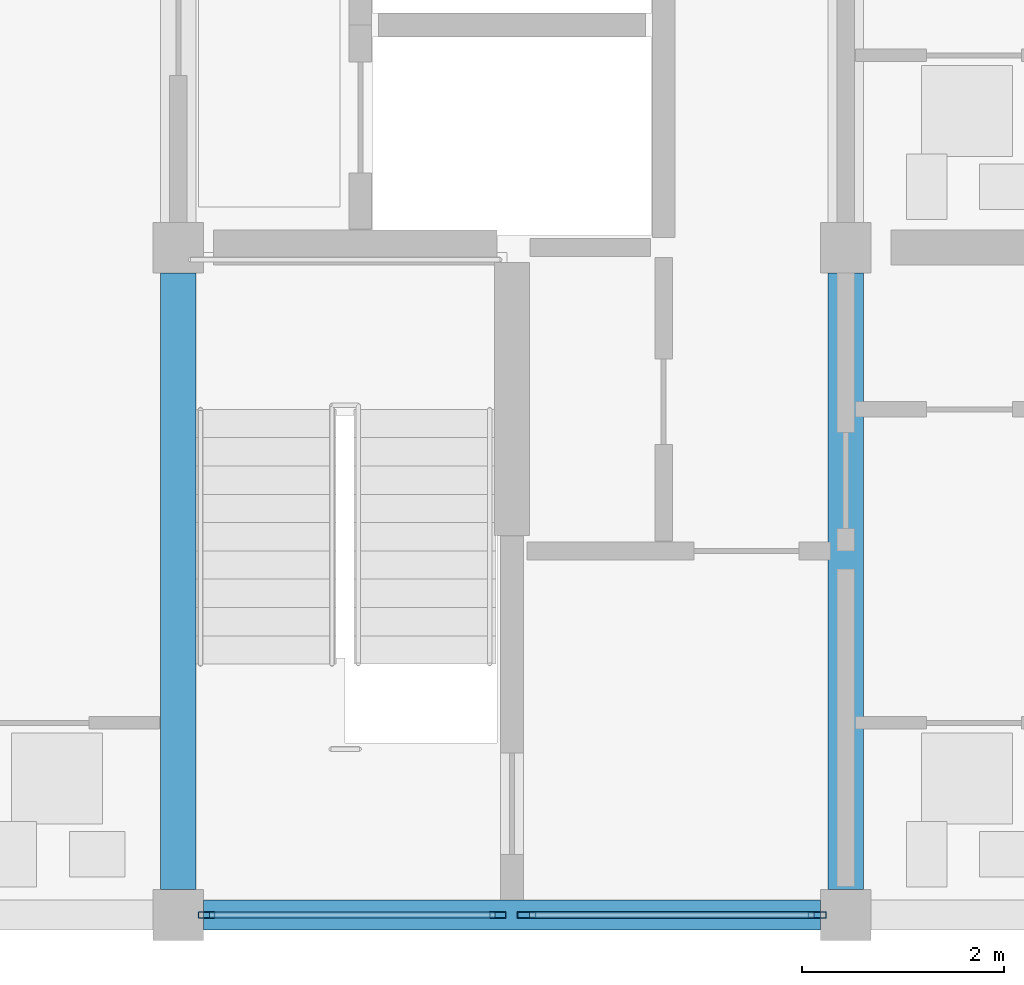
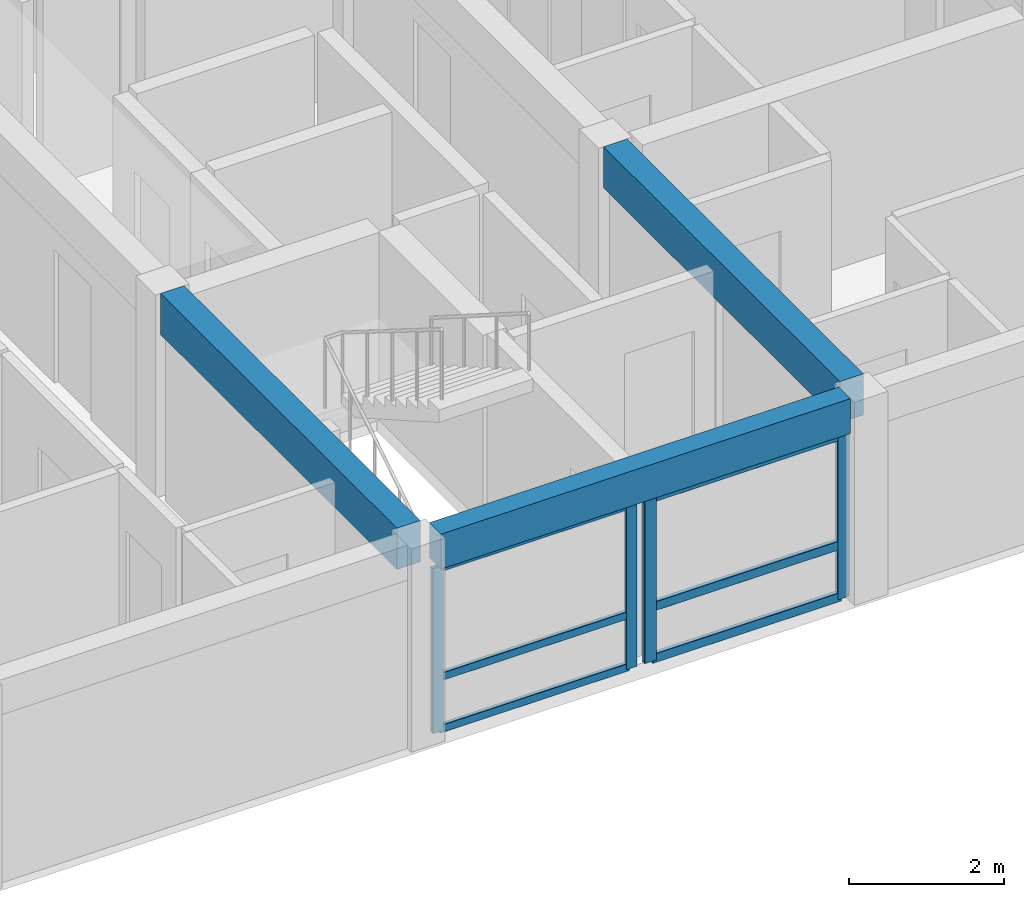
# One storey, part 11 of 51: 10 members, 3 beams, 2 elements without a shape of their own.
"""IFC4 building model written with IfcOpenShell, lengths in metres."""

from ifc_helpers import new_model, si_unit, direction, frame, origin, origin_2d, place, context, subcontext, project, spatial, rectangle, hollow_rectangle, extrude, material, material_profile, profile_set, type_object, element, aggregate, save


model = new_model("IFC4")

# Units and contexts
model_context = context("Model", 3, precision=1e-05, world=origin(), true_north=direction((0.0, 1.0)))
body_context = subcontext(model_context, "Body", "Model", "MODEL_VIEW")
ifc_project = project(units=[si_unit("LENGTHUNIT", "METRE"), si_unit("AREAUNIT", "SQUARE_METRE"), si_unit("VOLUMEUNIT", "CUBIC_METRE"), si_unit("PLANEANGLEUNIT", "RADIAN"), si_unit("MASSUNIT", "GRAM", prefix="KILO")], contexts=[model_context])

# Site, building, storey
site_placement = place(None, origin())
site = spatial("IfcSite", under=ifc_project, at=site_placement, CompositionType="ELEMENT")
building_placement = place(site_placement, origin())
building = spatial("IfcBuilding", under=site, at=building_placement, Name="Kernevlak Ridge Housing Community", CompositionType="ELEMENT")
storey_placement = place(building_placement, frame((0.0, 0.0, 8.39990234375)))
storey = spatial("IfcBuildingStorey", under=building, at=storey_placement, Name="L02", CompositionType="ELEMENT", Elevation=8.39990234375)

# Beams
ifc_material_1 = material(Name="Concrete C35/45", Category="concrete")
ifc_material_profile_1 = material_profile(ifc_material_1, rectangle(XDim=0.35009765625, YDim=0.64990234375, at=origin_2d()), Name="RC 350x650")
ifc_profile_set_1 = profile_set([ifc_material_profile_1], Name="Concrete C35/45")
beam_type_1 = type_object("IfcBeamType", Name="B-02", PredefinedType="BEAM", material=ifc_profile_set_1)
for number, where, z_axis, x_axis, name in (
    (1, (132.60009765625, 15.85009765625, 2.875), (0.0, 1.0, 0.0), (-1.0, 0.0, 0.0), "Beam B-02 L02 1050"),
    (2, (139.199951171875, 15.85009765625, 2.875), (0.0, 1.0, 0.0), (-1.0, 0.0, 0.0), "Beam B-02 L02 1054"),
):
    element("IfcBeam", number, at=place(storey_placement, frame(where, z_axis=z_axis, x_axis=x_axis)), inside=storey, type_object=beam_type_1, Name=name, PredefinedType="BEAM", context=body_context, shape_type="SweptSolid", body=[
        extrude(rectangle(XDim=0.35009765625, YDim=0.64990234375, at=origin_2d()), origin(), (0.0, 0.0, 1.0), 6.099853515625),
    ])

# Curtain wall, members
ifc_material_2 = material(Name="Aluminium EN AW-6060 anodised and laminated glass", Category="aluminium")
curtain_wall_type_1 = type_object("IfcCurtainWallType", Name="CW-07", PredefinedType="NOTDEFINED", material=ifc_material_2)
curtain_wall_1_placement = place(storey_placement, origin())
curtain_wall_1 = element("IfcCurtainWall", 3, at=curtain_wall_1_placement, inside=storey, type_object=curtain_wall_type_1, Name="Curtain wall CW-07 CW-L02-106", PredefinedType="NOTDEFINED")
ifc_material_3 = material(Name="Aluminium EN AW-6060 anodised", Category="aluminium")
ifc_material_profile_2 = material_profile(ifc_material_3, hollow_rectangle(XDim=0.06005859375, YDim=0.159912109375, WallThickness=0.00390625, InnerFilletRadius=0.001953125, OuterFilletRadius=0.00390625, at=origin_2d()), Name="ALU 60x160x4")
ifc_profile_set_2 = profile_set([ifc_material_profile_2], Name="Aluminium EN AW-6060 anodised")
member_type_1 = type_object("IfcMemberType", Name="MU-02", PredefinedType="MULLION", material=ifc_profile_set_2)
member_1_placement = place(storey_placement, frame((132.8798828125, 15.60009765625, 0.0), z_axis=(0.0, 0.0, 1.0), x_axis=(0.0, 1.0, 0.0)))
member_1 = element("IfcMember", 4, at=member_1_placement, type_object=member_type_1, Name="CW-07 mullion 1", PredefinedType="MULLION", context=body_context, shape_type="SweptSolid", body=[
    extrude(hollow_rectangle(XDim=0.06005859375, YDim=0.159912109375, WallThickness=0.00390625, InnerFilletRadius=0.001953125, OuterFilletRadius=0.00390625, at=origin_2d()), origin(), (0.0, 0.0, 1.0), 2.60009765625),
])
member_2_placement = place(storey_placement, frame((135.760009765625, 15.60009765625, 0.0), z_axis=(0.0, 0.0, 1.0), x_axis=(0.0, 1.0, 0.0)))
member_2 = element("IfcMember", 5, at=member_2_placement, type_object=member_type_1, Name="CW-07 mullion 2", PredefinedType="MULLION", context=body_context, shape_type="SweptSolid", body=[
    extrude(hollow_rectangle(XDim=0.06005859375, YDim=0.159912109375, WallThickness=0.00390625, InnerFilletRadius=0.001953125, OuterFilletRadius=0.00390625, at=origin_2d()), origin(), (0.0, 0.0, 1.0), 2.60009765625),
])

curtain_wall_type_2 = type_object("IfcCurtainWallType", Name="CW-12", PredefinedType="NOTDEFINED", material=ifc_material_2)
curtain_wall_2_placement = place(storey_placement, origin())
curtain_wall_2 = element("IfcCurtainWall", 6, at=curtain_wall_2_placement, inside=storey, type_object=curtain_wall_type_2, Name="Curtain wall CW-12 CW-L02-107", PredefinedType="NOTDEFINED")
ifc_material_profile_3 = material_profile(ifc_material_3, hollow_rectangle(XDim=0.06494140625, YDim=0.179931640625, WallThickness=0.00439453125, InnerFilletRadius=0.001953125, OuterFilletRadius=0.00439453125, at=origin_2d()), Name="ALU 65x180x4.5")
ifc_profile_set_3 = profile_set([ifc_material_profile_3], Name="Aluminium EN AW-6060 anodised")
member_type_2 = type_object("IfcMemberType", Name="MU-03", PredefinedType="MULLION", material=ifc_profile_set_3)
member_3_placement = place(storey_placement, frame((136.04248046875, 15.60009765625, 0.0), z_axis=(0.0, 0.0, 1.0), x_axis=(0.0, 1.0, 0.0)))
member_3 = element("IfcMember", 7, at=member_3_placement, type_object=member_type_2, Name="CW-12 mullion 1", PredefinedType="MULLION", context=body_context, shape_type="SweptSolid", body=[
    extrude(hollow_rectangle(XDim=0.06494140625, YDim=0.179931640625, WallThickness=0.00439453125, InnerFilletRadius=0.001953125, OuterFilletRadius=0.00439453125, at=origin_2d()), origin(), (0.0, 0.0, 1.0), 2.60009765625),
])
member_4_placement = place(storey_placement, frame((138.91748046875, 15.60009765625, 0.0), z_axis=(0.0, 0.0, 1.0), x_axis=(0.0, 1.0, 0.0)))
member_4 = element("IfcMember", 8, at=member_4_placement, type_object=member_type_2, Name="CW-12 mullion 2", PredefinedType="MULLION", context=body_context, shape_type="SweptSolid", body=[
    extrude(hollow_rectangle(XDim=0.06494140625, YDim=0.179931640625, WallThickness=0.00439453125, InnerFilletRadius=0.001953125, OuterFilletRadius=0.00439453125, at=origin_2d()), origin(), (0.0, 0.0, 1.0), 2.60009765625),
])

# Beam
ifc_material_profile_4 = material_profile(ifc_material_1, rectangle(XDim=0.300048828125, YDim=0.550048828125, at=origin_2d()), Name="RC 300x550")
ifc_profile_set_4 = profile_set([ifc_material_profile_4], Name="Concrete C35/45")
beam_type_2 = type_object("IfcBeamType", Name="SP-01", PredefinedType="SPANDREL", material=ifc_profile_set_4)
beam_placement = place(storey_placement, frame((132.85009765625, 15.60009765625, 2.925048828125), z_axis=(1.0, 0.0, 0.0), x_axis=(0.0, 1.0, 0.0)))
element("IfcBeam", 9, at=beam_placement, inside=storey, type_object=beam_type_2, Name="Beam SP-01 L02 1063", PredefinedType="SPANDREL", context=body_context, shape_type="SweptSolid", body=[
    extrude(rectangle(XDim=0.300048828125, YDim=0.550048828125, at=origin_2d()), origin(), (0.0, 0.0, 1.0), 6.099853515625),
])

# Member
ifc_material_profile_5 = material_profile(ifc_material_3, hollow_rectangle(XDim=0.06005859375, YDim=0.1201171875, WallThickness=0.00390625, InnerFilletRadius=0.001953125, OuterFilletRadius=0.00390625, at=origin_2d()), Name="ALU 60x120x4")
ifc_profile_set_5 = profile_set([ifc_material_profile_5], Name="Aluminium EN AW-6060 anodised")
member_type_3 = type_object("IfcMemberType", Name="TM-02", PredefinedType="USERDEFINED", material=ifc_profile_set_5)
member_5_placement = place(storey_placement, frame((132.909912109375, 15.60009765625, 0.030029296875), z_axis=(1.0, 0.0, 0.0), x_axis=(0.0, 1.0, 0.0)))
member_5 = element("IfcMember", 10, at=member_5_placement, type_object=member_type_3, Name="CW-07 transom 1.1", ObjectType="TRANSOM", PredefinedType="USERDEFINED", context=body_context, shape_type="SweptSolid", body=[
    extrude(hollow_rectangle(XDim=0.06005859375, YDim=0.1201171875, WallThickness=0.00390625, InnerFilletRadius=0.001953125, OuterFilletRadius=0.00390625, at=origin_2d()), origin(), (0.0, 0.0, 1.0), 2.820068359375),
])

member_6_placement = place(storey_placement, frame((132.909912109375, 15.60009765625, 0.85009765625), z_axis=(1.0, 0.0, 0.0), x_axis=(0.0, 1.0, 0.0)))
member_6 = element("IfcMember", 11, at=member_6_placement, type_object=member_type_3, Name="CW-07 transom 1.2", ObjectType="TRANSOM", PredefinedType="USERDEFINED", context=body_context, shape_type="SweptSolid", body=[
    extrude(hollow_rectangle(XDim=0.06005859375, YDim=0.1201171875, WallThickness=0.00390625, InnerFilletRadius=0.001953125, OuterFilletRadius=0.00390625, at=origin_2d()), origin(), (0.0, 0.0, 1.0), 2.820068359375),
])

member_7_placement = place(storey_placement, frame((132.909912109375, 15.60009765625, 2.570068359375), z_axis=(1.0, 0.0, 0.0), x_axis=(0.0, 1.0, 0.0)))
member_7 = element("IfcMember", 12, at=member_7_placement, type_object=member_type_3, Name="CW-07 transom 1.3", ObjectType="TRANSOM", PredefinedType="USERDEFINED", context=body_context, shape_type="SweptSolid", body=[
    extrude(hollow_rectangle(XDim=0.06005859375, YDim=0.1201171875, WallThickness=0.00390625, InnerFilletRadius=0.001953125, OuterFilletRadius=0.00390625, at=origin_2d()), origin(), (0.0, 0.0, 1.0), 2.820068359375),
])

aggregate(curtain_wall_1, [member_1, member_2, member_5, member_6, member_7])

ifc_material_profile_6 = material_profile(ifc_material_3, hollow_rectangle(XDim=0.06494140625, YDim=0.139892578125, WallThickness=0.00390625, InnerFilletRadius=0.001953125, OuterFilletRadius=0.00390625, at=origin_2d()), Name="ALU 65x140x4")
ifc_profile_set_6 = profile_set([ifc_material_profile_6], Name="Aluminium EN AW-6060 anodised")
member_type_4 = type_object("IfcMemberType", Name="TM-03", PredefinedType="USERDEFINED", material=ifc_profile_set_6)
member_8_placement = place(storey_placement, frame((136.074951171875, 15.60009765625, 0.03271484375), z_axis=(1.0, 0.0, 0.0), x_axis=(0.0, 1.0, 0.0)))
member_8 = element("IfcMember", 13, at=member_8_placement, type_object=member_type_4, Name="CW-12 transom 1.1", ObjectType="TRANSOM", PredefinedType="USERDEFINED", context=body_context, shape_type="SweptSolid", body=[
    extrude(hollow_rectangle(XDim=0.06494140625, YDim=0.139892578125, WallThickness=0.00390625, InnerFilletRadius=0.001953125, OuterFilletRadius=0.00390625, at=origin_2d()), origin(), (0.0, 0.0, 1.0), 2.81005859375),
])

member_9_placement = place(storey_placement, frame((136.074951171875, 15.60009765625, 0.85009765625), z_axis=(1.0, 0.0, 0.0), x_axis=(0.0, 1.0, 0.0)))
member_9 = element("IfcMember", 14, at=member_9_placement, type_object=member_type_4, Name="CW-12 transom 1.2", ObjectType="TRANSOM", PredefinedType="USERDEFINED", context=body_context, shape_type="SweptSolid", body=[
    extrude(hollow_rectangle(XDim=0.06494140625, YDim=0.139892578125, WallThickness=0.00390625, InnerFilletRadius=0.001953125, OuterFilletRadius=0.00390625, at=origin_2d()), origin(), (0.0, 0.0, 1.0), 2.81005859375),
])

member_10_placement = place(storey_placement, frame((136.074951171875, 15.60009765625, 2.567626953125), z_axis=(1.0, 0.0, 0.0), x_axis=(0.0, 1.0, 0.0)))
member_10 = element("IfcMember", 15, at=member_10_placement, type_object=member_type_4, Name="CW-12 transom 1.3", ObjectType="TRANSOM", PredefinedType="USERDEFINED", context=body_context, shape_type="SweptSolid", body=[
    extrude(hollow_rectangle(XDim=0.06494140625, YDim=0.139892578125, WallThickness=0.00390625, InnerFilletRadius=0.001953125, OuterFilletRadius=0.00390625, at=origin_2d()), origin(), (0.0, 0.0, 1.0), 2.81005859375),
])

aggregate(curtain_wall_2, [member_3, member_4, member_8, member_9, member_10])

save(model, "model.ifc")
